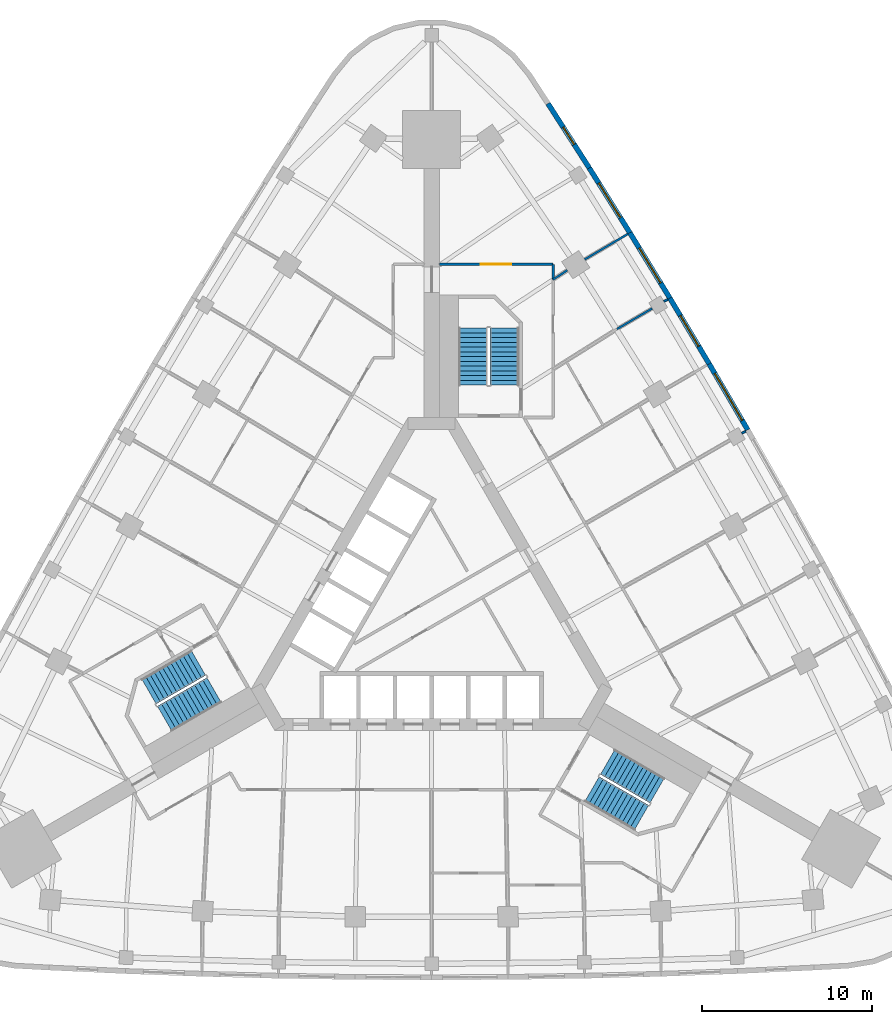
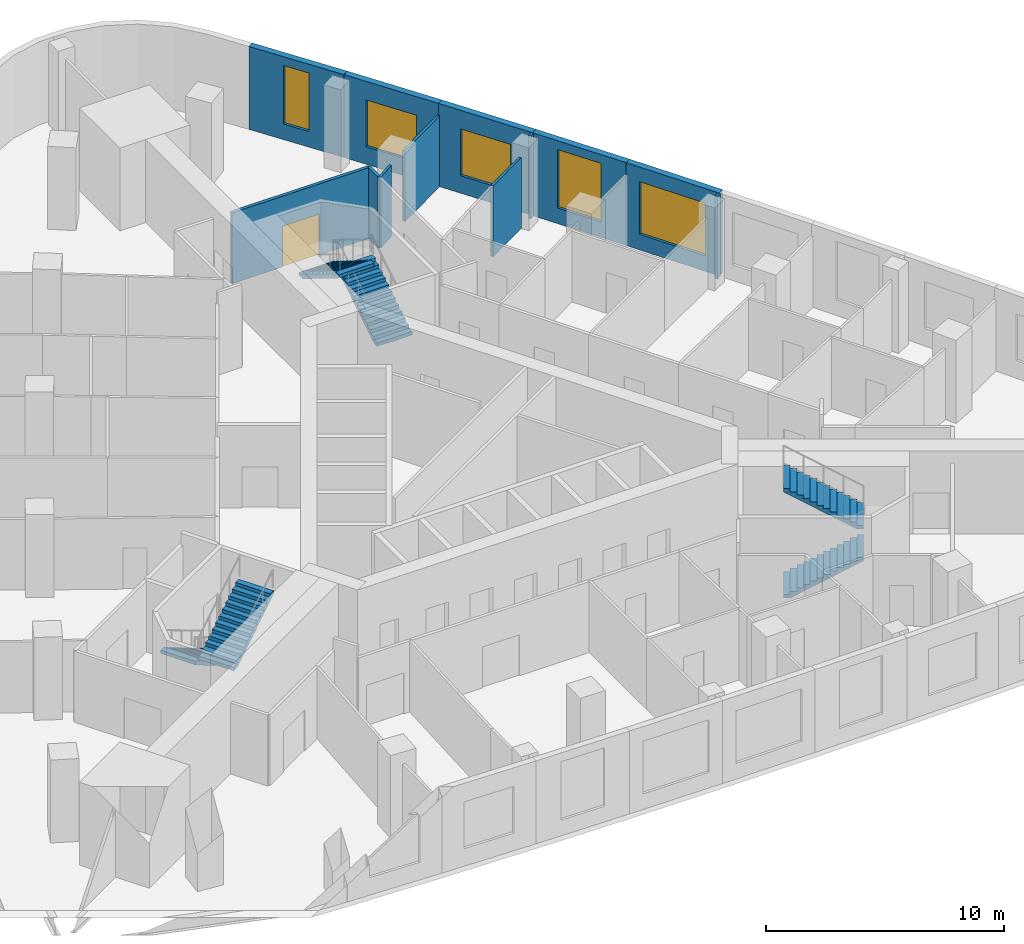
# One storey, part 10 of 11: 12 walls, 6 stair flights, 5 windows, 1 door, 6 openings, 3 elements without a shape of their own.
"""IFC4 building model written with IfcOpenShell, lengths in metres."""

from ifc_helpers import new_model, si_unit, direction, frame, frame_2d, origin, place, context, subcontext, project, spatial, polyline, rectangle, outline, extrude, material, layer, layer_set, type_object, element, fill, aggregate, save


model = new_model("IFC4")

# Units and contexts
model_context = context("Model", 3, precision=1e-05, world=origin(), true_north=direction((0.0, 1.0)))
body_context = subcontext(model_context, "Body", "Model", "MODEL_VIEW")
ifc_project = project(units=[si_unit("LENGTHUNIT", "METRE"), si_unit("AREAUNIT", "SQUARE_METRE"), si_unit("VOLUMEUNIT", "CUBIC_METRE"), si_unit("PLANEANGLEUNIT", "RADIAN"), si_unit("MASSUNIT", "GRAM", prefix="KILO")], contexts=[model_context])

# Site, building, storey
site_placement = place(None, origin())
site = spatial("IfcSite", under=ifc_project, at=site_placement, CompositionType="ELEMENT")
building_placement = place(site_placement, origin())
building = spatial("IfcBuilding", under=site, at=building_placement, Name="Noor Cloister Tower", CompositionType="ELEMENT")
storey_placement = place(building_placement, frame((0.0, 0.0, 6.0)))
storey = spatial("IfcBuildingStorey", under=building, at=storey_placement, Name="L01", CompositionType="ELEMENT", Elevation=6.0)

# Wall
ifc_material_1 = material(Name="Plasterboard on steel studs", Category="steel")
ifc_layer_1 = layer(ifc_material_1, 0.14990234375)
ifc_layer_set_1 = layer_set([ifc_layer_1], Name="Corridor wall 150")
wall_type_1 = type_object("IfcWallType", Name="Corridor wall 150", PredefinedType="PARTITIONING", material=ifc_layer_set_1)
wall_1_placement = place(storey_placement, frame((7.135986328125, 19.56298828125, 0.0), z_axis=(0.0, 0.0, 1.0), x_axis=(0.0, 1.0, 0.0)))
element("IfcWall", 1, at=wall_1_placement, inside=storey, type_object=wall_type_1, Name="Partition", PredefinedType="PARTITIONING", context=body_context, shape_type="SweptSolid", body=[
    extrude(rectangle(XDim=0.89306640625, YDim=0.14990234375, at=frame_2d((0.446533203125, 0.0))), origin(), (0.0, 0.0, 1.0), 3.637939453125),
])

# Wall, opening, door
wall_2_placement = place(storey_placement, frame((7.135986328125, 20.4560546875, 0.0), z_axis=(0.0, 0.0, 1.0), x_axis=(-1.0, 0.0, 0.0)))
wall_2 = element("IfcWall", 2, at=wall_2_placement, inside=storey, type_object=wall_type_1, Name="Partition", PredefinedType="PARTITIONING", context=body_context, shape_type="SweptSolid", body=[
    extrude(rectangle(XDim=6.68603515625, YDim=0.14990234375, at=frame_2d((3.343017578125, 0.0))), origin(), (0.0, 0.0, 1.0), 3.637939453125),
])
opening_1_placement = place(wall_2_placement, frame((2.449951171875, 0.0, 0.0)))
opening_1 = element("IfcOpeningElement", 3, at=opening_1_placement, cuts=wall_2, Name="Opening L01-031", PredefinedType="OPENING", context=body_context, shape_type="SweptSolid", body=[
    extrude(rectangle(XDim=1.800048828125, YDim=2.10009765625, at=frame_2d((0.89990234375, 1.050048828125))), frame((0.0, 0.0849609375, 0.0), z_axis=(0.0, -1.0, 0.0), x_axis=(1.0, 0.0, 0.0)), (0.0, 0.0, 1.0), 0.169921875),
])
ifc_material_2 = material(Name="Timber door leaf", Category="wood")
door_type = type_object("IfcDoorType", Name="Double leaf door 1800", OperationType="DOUBLE_DOOR_SINGLE_SWING", PredefinedType="DOOR", material=ifc_material_2)
door_placement = place(opening_1_placement, origin())
door = element("IfcDoor", 4, at=door_placement, inside=storey, type_object=door_type, Name="Door L01-031", OperationType="DOUBLE_DOOR_SINGLE_SWING", OverallHeight=2.10009765625, OverallWidth=1.800048828125, PredefinedType="DOOR", context=body_context, shape_type="SweptSolid", body=[
    extrude(rectangle(XDim=1.800048828125, YDim=2.10009765625, at=frame_2d((0.89990234375, 1.050048828125))), frame((0.0, 0.02490234375, 0.0), z_axis=(0.0, -1.0, 0.0), x_axis=(1.0, 0.0, 0.0)), (0.0, 0.0, 1.0), 0.050048828125),
])
fill(opening_1, door)

# Wall, opening, window
ifc_material_3 = material(Name="Limestone", Category="masonry")
ifc_layer_2 = layer(ifc_material_3, 0.300048828125)
ifc_layer_set_2 = layer_set([ifc_layer_2], Name="Limestone panel wall 300")
wall_type_2 = type_object("IfcWallType", Name="Limestone panel wall 300", PredefinedType="NOTDEFINED", material=ifc_layer_set_2)
wall_3_placement = place(storey_placement, frame((16.31396484375, 14.61181640625, 0.0), z_axis=(0.0, 0.0, 1.0), x_axis=(0.50445499627, -0.86343798662, 0.0)))
wall_3 = element("IfcWall", 5, at=wall_3_placement, inside=storey, type_object=wall_type_2, Name="Limestone wall L01 NE 6", PredefinedType="NOTDEFINED", context=body_context, shape_type="SweptSolid", body=[
    extrude(rectangle(XDim=4.49609375, YDim=0.300048828125, at=frame_2d((2.248046875, 0.0))), origin(), (0.0, 0.0, 1.0), 4.25),
])
opening_2_placement = place(wall_3_placement, frame((0.64794921875, 0.0, 0.800048828125)))
opening_2 = element("IfcOpeningElement", 6, at=opening_2_placement, cuts=wall_3, Name="Opening L01-W26", PredefinedType="OPENING", context=body_context, shape_type="SweptSolid", body=[
    extrude(rectangle(XDim=3.199951171875, YDim=2.699951171875, at=frame_2d((1.60009765625, 1.35009765625))), frame((0.0, 0.16015625, 0.0), z_axis=(0.0, -1.0, 0.0), x_axis=(1.0, 0.0, 0.0)), (0.0, 0.0, 1.0), 0.320068359375),
])
ifc_material_4 = material(Name="Aluminium 6063-T6 anodised", Category="aluminium")
window_type_1 = type_object("IfcWindowType", Name="Waiting room window 3200 x 2700", PartitioningType="TRIPLE_PANEL_VERTICAL", PredefinedType="WINDOW", material=ifc_material_4)
window_1_placement = place(opening_2_placement, origin())
window_1 = element("IfcWindow", 7, at=window_1_placement, inside=storey, type_object=window_type_1, Name="Window L01 26", OverallHeight=2.699951171875, OverallWidth=3.199951171875, PartitioningType="TRIPLE_PANEL_VERTICAL", PredefinedType="WINDOW", context=body_context, shape_type="SweptSolid", body=[
    extrude(rectangle(XDim=3.199951171875, YDim=2.699951171875, at=frame_2d((1.60009765625, 1.35009765625))), frame((0.0, 0.030029296875, 0.0), z_axis=(0.0, -1.0, 0.0), x_axis=(1.0, 0.0, 0.0)), (0.0, 0.0, 1.0), 0.06005859375),
])
fill(opening_2, window_1)

wall_4_placement = place(storey_placement, frame((14.005126953125, 18.472412109375, 0.0), z_axis=(0.0, 0.0, 1.0), x_axis=(0.513257465408, -0.858234684805, 0.0)))
wall_4 = element("IfcWall", 8, at=wall_4_placement, inside=storey, type_object=wall_type_2, Name="Limestone wall L01 NE 7", PredefinedType="NOTDEFINED", context=body_context, shape_type="SweptSolid", body=[
    extrude(rectangle(XDim=4.49609375, YDim=0.300048828125, at=frame_2d((2.248046875, 0.0))), origin(), (0.0, 0.0, 1.0), 4.25),
])
opening_3_placement = place(wall_4_placement, frame((1.197998046875, 0.0, 0.800048828125)))
opening_3 = element("IfcOpeningElement", 9, at=opening_3_placement, cuts=wall_4, Name="Opening L01-W27", PredefinedType="OPENING", context=body_context, shape_type="SweptSolid", body=[
    extrude(rectangle(XDim=2.10009765625, YDim=3.0, at=frame_2d((1.050048828125, 1.5))), frame((0.0, 0.16015625, 0.0), z_axis=(0.0, -1.0, 0.0), x_axis=(1.0, 0.0, 0.0)), (0.0, 0.0, 1.0), 0.320068359375),
])
ifc_material_5 = material(Name="Aluminium 6063-T6 anodised", Category="aluminium")
window_type_2 = type_object("IfcWindowType", Name="Therapy window 2100 x 3000", PartitioningType="DOUBLE_PANEL_HORIZONTAL", PredefinedType="WINDOW", material=ifc_material_5)
window_2_placement = place(opening_3_placement, origin())
window_2 = element("IfcWindow", 10, at=window_2_placement, inside=storey, type_object=window_type_2, Name="Window L01 27", OverallHeight=3.0, OverallWidth=2.10009765625, PartitioningType="DOUBLE_PANEL_HORIZONTAL", PredefinedType="WINDOW", context=body_context, shape_type="SweptSolid", body=[
    extrude(rectangle(XDim=2.10009765625, YDim=3.0, at=frame_2d((1.050048828125, 1.5))), frame((0.0, 0.030029296875, 0.0), z_axis=(0.0, -1.0, 0.0), x_axis=(1.0, 0.0, 0.0)), (0.0, 0.0, 1.0), 0.06005859375),
])
fill(opening_3, window_2)

wall_5_placement = place(storey_placement, frame((11.656494140625, 22.30908203125, 0.0), z_axis=(0.0, 0.0, 1.0), x_axis=(0.522078085402, -0.852897691838, 0.0)))
wall_5 = element("IfcWall", 11, at=wall_5_placement, inside=storey, type_object=wall_type_2, Name="Limestone wall L01 NE 8", PredefinedType="NOTDEFINED", context=body_context, shape_type="SweptSolid", body=[
    extrude(rectangle(XDim=4.495849609375, YDim=0.300048828125, at=frame_2d((2.248046875, 0.0))), origin(), (0.0, 0.0, 1.0), 4.25),
])
opening_4_placement = place(wall_5_placement, frame((1.048095703125, 0.0, 0.89990234375)))
opening_4 = element("IfcOpeningElement", 12, at=opening_4_placement, cuts=wall_5, Name="Opening L01-W28", PredefinedType="OPENING", context=body_context, shape_type="SweptSolid", body=[
    extrude(rectangle(XDim=2.39990234375, YDim=2.39990234375, at=frame_2d((1.199951171875, 1.199951171875))), frame((0.0, 0.16015625, 0.0), z_axis=(0.0, -1.0, 0.0), x_axis=(1.0, 0.0, 0.0)), (0.0, 0.0, 1.0), 0.320068359375),
])
ifc_material_6 = material(Name="Aluminium 6063-T6 anodised", Category="aluminium")
window_type_3 = type_object("IfcWindowType", Name="Clinic window 2400 x 2400", PartitioningType="DOUBLE_PANEL_VERTICAL", PredefinedType="WINDOW", material=ifc_material_6)
window_3_placement = place(opening_4_placement, origin())
window_3 = element("IfcWindow", 13, at=window_3_placement, inside=storey, type_object=window_type_3, Name="Window L01 28", OverallHeight=2.39990234375, OverallWidth=2.39990234375, PartitioningType="DOUBLE_PANEL_VERTICAL", PredefinedType="WINDOW", context=body_context, shape_type="SweptSolid", body=[
    extrude(rectangle(XDim=2.39990234375, YDim=2.39990234375, at=frame_2d((1.199951171875, 1.199951171875))), frame((0.0, 0.030029296875, 0.0), z_axis=(0.0, -1.0, 0.0), x_axis=(1.0, 0.0, 0.0)), (0.0, 0.0, 1.0), 0.06005859375),
])
fill(opening_4, window_3)

wall_6_placement = place(storey_placement, frame((9.268798828125, 26.12158203125, 0.0), z_axis=(0.0, 0.0, 1.0), x_axis=(0.530804082031, -0.847494558389, 0.0)))
wall_6 = element("IfcWall", 14, at=wall_6_placement, inside=storey, type_object=wall_type_2, Name="Limestone wall L01 NE 9", PredefinedType="NOTDEFINED", context=body_context, shape_type="SweptSolid", body=[
    extrude(rectangle(XDim=4.495849609375, YDim=0.300048828125, at=frame_2d((2.248046875, 0.0))), origin(), (0.0, 0.0, 1.0), 4.25),
])
opening_5_placement = place(wall_6_placement, frame((1.048095703125, 0.0, 0.89990234375)))
opening_5 = element("IfcOpeningElement", 15, at=opening_5_placement, cuts=wall_6, Name="Opening L01-W29", PredefinedType="OPENING", context=body_context, shape_type="SweptSolid", body=[
    extrude(rectangle(XDim=2.39990234375, YDim=2.39990234375, at=frame_2d((1.199951171875, 1.199951171875))), frame((0.0, 0.16015625, 0.0), z_axis=(0.0, -1.0, 0.0), x_axis=(1.0, 0.0, 0.0)), (0.0, 0.0, 1.0), 0.320068359375),
])
window_4_placement = place(opening_5_placement, origin())
window_4 = element("IfcWindow", 16, at=window_4_placement, inside=storey, type_object=window_type_3, Name="Window L01 29", OverallHeight=2.39990234375, OverallWidth=2.39990234375, PartitioningType="DOUBLE_PANEL_VERTICAL", PredefinedType="WINDOW", context=body_context, shape_type="SweptSolid", body=[
    extrude(rectangle(XDim=2.39990234375, YDim=2.39990234375, at=frame_2d((1.199951171875, 1.199951171875))), frame((0.0, 0.030029296875, 0.0), z_axis=(0.0, -1.0, 0.0), x_axis=(1.0, 0.0, 0.0)), (0.0, 0.0, 1.0), 0.06005859375),
])
fill(opening_5, window_4)

wall_7_placement = place(storey_placement, frame((6.842041015625, 29.9091796875, 0.0), z_axis=(0.0, 0.0, 1.0), x_axis=(0.539483537275, -0.841996147859, 0.0)))
wall_7 = element("IfcWall", 17, at=wall_7_placement, inside=storey, type_object=wall_type_2, Name="Limestone wall L01 NE 10", PredefinedType="NOTDEFINED", context=body_context, shape_type="SweptSolid", body=[
    extrude(rectangle(XDim=4.49609375, YDim=0.300048828125, at=frame_2d((2.248046875, 0.0))), origin(), (0.0, 0.0, 1.0), 4.25),
])
opening_6_placement = place(wall_7_placement, frame((1.64794921875, 0.0, 0.800048828125)))
opening_6 = element("IfcOpeningElement", 18, at=opening_6_placement, cuts=wall_7, Name="Opening L01-W30", PredefinedType="OPENING", context=body_context, shape_type="SweptSolid", body=[
    extrude(rectangle(XDim=1.199951171875, YDim=3.0, at=frame_2d((0.60009765625, 1.5))), frame((0.0, 0.16015625, 0.0), z_axis=(0.0, -1.0, 0.0), x_axis=(1.0, 0.0, 0.0)), (0.0, 0.0, 1.0), 0.320068359375),
])
ifc_material_7 = material(Name="Aluminium 6063-T6 anodised", Category="aluminium")
window_type_4 = type_object("IfcWindowType", Name="Lancet window 1200 x 3000", PartitioningType="SINGLE_PANEL", PredefinedType="WINDOW", material=ifc_material_7)
window_5_placement = place(opening_6_placement, origin())
window_5 = element("IfcWindow", 19, at=window_5_placement, inside=storey, type_object=window_type_4, Name="Window L01 30", OverallHeight=3.0, OverallWidth=1.199951171875, PartitioningType="SINGLE_PANEL", PredefinedType="WINDOW", context=body_context, shape_type="SweptSolid", body=[
    extrude(rectangle(XDim=1.199951171875, YDim=3.0, at=frame_2d((0.60009765625, 1.5))), frame((0.0, 0.030029296875, 0.0), z_axis=(0.0, -1.0, 0.0), x_axis=(1.0, 0.0, 0.0)), (0.0, 0.0, 1.0), 0.06005859375),
])
fill(opening_6, window_5)

# Walls
ifc_material_8 = material(Name="Plasterboard on steel studs", Category="steel")
ifc_layer_3 = layer(ifc_material_8, 0.1201171875)
ifc_layer_set_3 = layer_set([ifc_layer_3], Name="Partition wall 120")
wall_type_3 = type_object("IfcWallType", Name="Partition wall 120", PredefinedType="PARTITIONING", material=ifc_layer_set_3)
wall_8_placement = place(storey_placement, frame((18.4541015625, 10.653076171875, 0.0), z_axis=(0.0, 0.0, 1.0), x_axis=(-0.866558586415, -0.499075361355, 0.0)))
element("IfcWall", 20, at=wall_8_placement, inside=storey, type_object=wall_type_3, Name="Partition", PredefinedType="PARTITIONING", context=body_context, shape_type="SweptSolid", body=[
    extrude(rectangle(XDim=0.25048828125, YDim=0.1201171875, at=frame_2d((0.125244140625, 0.0))), origin(), (0.0, 0.0, 1.0), 4.25),
])
wall_9_placement = place(storey_placement, frame((12.968017578125, 17.868896484375, 0.0), z_axis=(0.0, 0.0, 1.0), x_axis=(-0.863161652457, -0.504927679701, 0.0)))
element("IfcWall", 21, at=wall_9_placement, inside=storey, type_object=wall_type_3, Name="Partition", PredefinedType="PARTITIONING", context=body_context, shape_type="SweptSolid", body=[
    extrude(rectangle(XDim=2.398193359375, YDim=0.1201171875, at=frame_2d((1.19921875, 0.0))), origin(), (0.0, 0.0, 1.0), 3.637939453125),
])
wall_10_placement = place(storey_placement, frame((13.8740234375, 18.39892578125, 0.0), z_axis=(0.0, 0.0, 1.0), x_axis=(-0.863885093979, -0.503688936151, 0.0)))
element("IfcWall", 22, at=wall_10_placement, inside=storey, type_object=wall_type_3, Name="Partition", PredefinedType="PARTITIONING", context=body_context, shape_type="SweptSolid", body=[
    extrude(rectangle(XDim=0.25, YDim=0.1201171875, at=frame_2d((0.125, 0.0))), origin(), (0.0, 0.0, 1.0), 4.25),
])
wall_11_placement = place(storey_placement, frame((7.972900390625, 20.10888671875, 0.0), z_axis=(0.0, 0.0, 1.0), x_axis=(-0.836986858992, -0.547222987341, 0.0)))
element("IfcWall", 23, at=wall_11_placement, inside=storey, type_object=wall_type_3, Name="Partition", PredefinedType="PARTITIONING", context=body_context, shape_type="SweptSolid", body=[
    extrude(rectangle(XDim=0.99755859375, YDim=0.1201171875, at=frame_2d((0.498779296875, 0.0))), origin(), (0.0, 0.0, 1.0), 3.637939453125),
])
wall_12_placement = place(storey_placement, frame((11.52392578125, 22.237060546875, 0.0), z_axis=(0.0, 0.0, 1.0), x_axis=(-0.861228913487, -0.508217235613, 0.0)))
element("IfcWall", 24, at=wall_12_placement, inside=storey, type_object=wall_type_3, Name="Partition", PredefinedType="PARTITIONING", context=body_context, shape_type="SweptSolid", body=[
    extrude(rectangle(XDim=2.93994140625, YDim=0.1201171875, at=frame_2d((1.469970703125, 0.0))), origin(), (0.0, 0.0, 1.0), 3.633056640625),
])

# Stair, stair flights
ifc_material_9 = material(Name="Concrete C40/50", Category="concrete")
stair_type = type_object("IfcStairType", Name="Exit stair 26 risers", PredefinedType="HALF_TURN_STAIR", material=ifc_material_9)
stair_1_placement = place(storey_placement, origin())
stair_1 = element("IfcStair", 25, at=stair_1_placement, inside=storey, type_object=stair_type, Name="Exit stair ST1 L01", PredefinedType="HALF_TURN_STAIR")
ifc_material_10 = material(Name="Concrete C40/50", Category="concrete")
stair_flight_type = type_object("IfcStairFlightType", Name="Exit stair flight", PredefinedType="STRAIGHT", material=ifc_material_10)
stair_flight_1_placement = place(storey_placement, frame((4.28564453125, 13.3564453125, 0.0), z_axis=(0.0, 0.0, 1.0), x_axis=(0.0, 1.0, 0.0)))
stair_flight_1 = element("IfcStairFlight", 26, at=stair_flight_1_placement, type_object=stair_flight_type, Name="ST1 flight 1", NumberOfRisers=13, NumberOfTreads=12, PredefinedType="STRAIGHT", RiserHeight=0.173076923, TreadLength=0.28, context=body_context, shape_type="SweptSolid", body=[
    extrude(outline(polyline([(0.0, 0.0), (0.0, 0.173095703125), (0.280029296875, 0.173095703125), (0.280029296875, 0.34619140625), (0.56005859375, 0.34619140625), (0.56005859375, 0.519287109375), (0.840087890625, 0.519287109375), (0.840087890625, 0.6923828125), (1.1201171875, 0.6923828125), (1.1201171875, 0.865478515625), (1.39990234375, 0.865478515625), (1.39990234375, 1.03857421875), (1.679931640625, 1.03857421875), (1.679931640625, 1.21142578125), (1.9599609375, 1.21142578125), (1.9599609375, 1.384521484375), (2.239990234375, 1.384521484375), (2.239990234375, 1.5576171875), (2.52001953125, 1.5576171875), (2.52001953125, 1.730712890625), (2.800048828125, 1.730712890625), (2.800048828125, 1.90380859375), (3.080078125, 1.90380859375), (3.080078125, 2.076904296875), (3.360107421875, 2.076904296875), (3.360107421875, 2.25), (3.360107421875, 1.900634765625), (0.28515625, 0.0), (0.0, 0.0)])), frame((0.0, 0.85009765625, 0.0), z_axis=(0.0, -1.0, 0.0), x_axis=(1.0, 0.0, 0.0)), (0.0, 0.0, 1.0), 1.699951171875),
])
stair_flight_2_placement = place(storey_placement, frame((2.435546875, 16.71630859375, 2.25), z_axis=(0.0, 0.0, 1.0), x_axis=(0.0, -1.0, 0.0)))
stair_flight_2 = element("IfcStairFlight", 27, at=stair_flight_2_placement, type_object=stair_flight_type, Name="ST1 flight 2", NumberOfRisers=13, NumberOfTreads=12, PredefinedType="STRAIGHT", RiserHeight=0.173076923, TreadLength=0.28, context=body_context, shape_type="SweptSolid", body=[
    extrude(outline(polyline([(0.0, 0.0), (0.0, 0.173095703125), (0.280029296875, 0.173095703125), (0.280029296875, 0.34619140625), (0.56005859375, 0.34619140625), (0.56005859375, 0.519287109375), (0.840087890625, 0.519287109375), (0.840087890625, 0.6923828125), (1.1201171875, 0.6923828125), (1.1201171875, 0.865478515625), (1.39990234375, 0.865478515625), (1.39990234375, 1.03857421875), (1.679931640625, 1.03857421875), (1.679931640625, 1.21142578125), (1.9599609375, 1.21142578125), (1.9599609375, 1.384521484375), (2.239990234375, 1.384521484375), (2.239990234375, 1.5576171875), (2.52001953125, 1.5576171875), (2.52001953125, 1.730712890625), (2.800048828125, 1.730712890625), (2.800048828125, 1.90380859375), (3.080078125, 1.90380859375), (3.080078125, 2.076904296875), (3.360107421875, 2.076904296875), (3.360107421875, 2.25), (3.360107421875, 1.900634765625), (0.28515625, 0.0), (0.0, 0.0)])), frame((0.0, 0.85009765625, 0.0), z_axis=(0.0, -1.0, 0.0), x_axis=(1.0, 0.0, 0.0)), (0.0, 0.0, 1.0), 1.699951171875),
])
aggregate(stair_1, [stair_flight_1, stair_flight_2])

stair_2_placement = place(storey_placement, origin())
stair_2 = element("IfcStair", 28, at=stair_2_placement, inside=storey, type_object=stair_type, Name="Exit stair ST2 L01", PredefinedType="HALF_TURN_STAIR")
stair_flight_3_placement = place(storey_placement, frame((-13.709716796875, -2.966796875, 0.0), z_axis=(0.0, 0.0, 1.0), x_axis=(-0.866025403784, -0.5, 0.0)))
stair_flight_3 = element("IfcStairFlight", 29, at=stair_flight_3_placement, type_object=stair_flight_type, Name="ST2 flight 1", NumberOfRisers=13, NumberOfTreads=12, PredefinedType="STRAIGHT", RiserHeight=0.173076923, TreadLength=0.28, context=body_context, shape_type="SweptSolid", body=[
    extrude(outline(polyline([(0.0, 0.0), (0.0, 0.173095703125), (0.280029296875, 0.173095703125), (0.280029296875, 0.34619140625), (0.56005859375, 0.34619140625), (0.56005859375, 0.519287109375), (0.840087890625, 0.519287109375), (0.840087890625, 0.6923828125), (1.1201171875, 0.6923828125), (1.1201171875, 0.865478515625), (1.39990234375, 0.865478515625), (1.39990234375, 1.03857421875), (1.679931640625, 1.03857421875), (1.679931640625, 1.21142578125), (1.9599609375, 1.21142578125), (1.9599609375, 1.384521484375), (2.239990234375, 1.384521484375), (2.239990234375, 1.5576171875), (2.52001953125, 1.5576171875), (2.52001953125, 1.730712890625), (2.800048828125, 1.730712890625), (2.800048828125, 1.90380859375), (3.080078125, 1.90380859375), (3.080078125, 2.076904296875), (3.360107421875, 2.076904296875), (3.360107421875, 2.25), (3.360107421875, 1.900634765625), (0.28515625, 0.0), (0.0, 0.0)])), frame((0.0, 0.85009765625, 0.0), z_axis=(0.0, -1.0, 0.0), x_axis=(1.0, 0.0, 0.0)), (0.0, 0.0, 1.0), 1.699951171875),
])
stair_flight_4_placement = place(storey_placement, frame((-15.694580078125, -6.248779296875, 2.25), z_axis=(0.0, 0.0, 1.0), x_axis=(0.866025403784, 0.5, 0.0)))
stair_flight_4 = element("IfcStairFlight", 30, at=stair_flight_4_placement, type_object=stair_flight_type, Name="ST2 flight 2", NumberOfRisers=13, NumberOfTreads=12, PredefinedType="STRAIGHT", RiserHeight=0.173076923, TreadLength=0.28, context=body_context, shape_type="SweptSolid", body=[
    extrude(outline(polyline([(0.0, 0.0), (0.0, 0.173095703125), (0.280029296875, 0.173095703125), (0.280029296875, 0.34619140625), (0.56005859375, 0.34619140625), (0.56005859375, 0.519287109375), (0.840087890625, 0.519287109375), (0.840087890625, 0.6923828125), (1.1201171875, 0.6923828125), (1.1201171875, 0.865478515625), (1.39990234375, 0.865478515625), (1.39990234375, 1.03857421875), (1.679931640625, 1.03857421875), (1.679931640625, 1.21142578125), (1.9599609375, 1.21142578125), (1.9599609375, 1.384521484375), (2.239990234375, 1.384521484375), (2.239990234375, 1.5576171875), (2.52001953125, 1.5576171875), (2.52001953125, 1.730712890625), (2.800048828125, 1.730712890625), (2.800048828125, 1.90380859375), (3.080078125, 1.90380859375), (3.080078125, 2.076904296875), (3.360107421875, 2.076904296875), (3.360107421875, 2.25), (3.360107421875, 1.900634765625), (0.28515625, 0.0), (0.0, 0.0)])), frame((0.0, 0.85009765625, 0.0), z_axis=(0.0, -1.0, 0.0), x_axis=(1.0, 0.0, 0.0)), (0.0, 0.0, 1.0), 1.699951171875),
])
aggregate(stair_2, [stair_flight_3, stair_flight_4])

stair_3_placement = place(storey_placement, origin())
stair_3 = element("IfcStair", 31, at=stair_3_placement, inside=storey, type_object=stair_type, Name="Exit stair ST3 L01", PredefinedType="HALF_TURN_STAIR")
stair_flight_5_placement = place(storey_placement, frame((9.424072265625, -10.3896484375, 0.0), z_axis=(0.0, 0.0, 1.0), x_axis=(0.866025403784, -0.5, 0.0)))
stair_flight_5 = element("IfcStairFlight", 32, at=stair_flight_5_placement, type_object=stair_flight_type, Name="ST3 flight 1", NumberOfRisers=13, NumberOfTreads=12, PredefinedType="STRAIGHT", RiserHeight=0.173076923, TreadLength=0.28, context=body_context, shape_type="SweptSolid", body=[
    extrude(outline(polyline([(0.0, 0.0), (0.0, 0.173095703125), (0.280029296875, 0.173095703125), (0.280029296875, 0.34619140625), (0.56005859375, 0.34619140625), (0.56005859375, 0.519287109375), (0.840087890625, 0.519287109375), (0.840087890625, 0.6923828125), (1.1201171875, 0.6923828125), (1.1201171875, 0.865478515625), (1.39990234375, 0.865478515625), (1.39990234375, 1.03857421875), (1.679931640625, 1.03857421875), (1.679931640625, 1.21142578125), (1.9599609375, 1.21142578125), (1.9599609375, 1.384521484375), (2.239990234375, 1.384521484375), (2.239990234375, 1.5576171875), (2.52001953125, 1.5576171875), (2.52001953125, 1.730712890625), (2.800048828125, 1.730712890625), (2.800048828125, 1.90380859375), (3.080078125, 1.90380859375), (3.080078125, 2.076904296875), (3.360107421875, 2.076904296875), (3.360107421875, 2.25), (3.360107421875, 1.900634765625), (0.28515625, 0.0), (0.0, 0.0)])), frame((0.0, 0.85009765625, 0.0), z_axis=(0.0, -1.0, 0.0), x_axis=(1.0, 0.0, 0.0)), (0.0, 0.0, 1.0), 1.699951171875),
])
stair_flight_6_placement = place(storey_placement, frame((13.259033203125, -10.467529296875, 2.25), z_axis=(0.0, 0.0, 1.0), x_axis=(-0.866025403784, 0.5, 0.0)))
stair_flight_6 = element("IfcStairFlight", 33, at=stair_flight_6_placement, type_object=stair_flight_type, Name="ST3 flight 2", NumberOfRisers=13, NumberOfTreads=12, PredefinedType="STRAIGHT", RiserHeight=0.173076923, TreadLength=0.28, context=body_context, shape_type="SweptSolid", body=[
    extrude(outline(polyline([(0.0, 0.0), (0.0, 0.173095703125), (0.280029296875, 0.173095703125), (0.280029296875, 0.34619140625), (0.56005859375, 0.34619140625), (0.56005859375, 0.519287109375), (0.840087890625, 0.519287109375), (0.840087890625, 0.6923828125), (1.1201171875, 0.6923828125), (1.1201171875, 0.865478515625), (1.39990234375, 0.865478515625), (1.39990234375, 1.03857421875), (1.679931640625, 1.03857421875), (1.679931640625, 1.21142578125), (1.9599609375, 1.21142578125), (1.9599609375, 1.384521484375), (2.239990234375, 1.384521484375), (2.239990234375, 1.5576171875), (2.52001953125, 1.5576171875), (2.52001953125, 1.730712890625), (2.800048828125, 1.730712890625), (2.800048828125, 1.90380859375), (3.080078125, 1.90380859375), (3.080078125, 2.076904296875), (3.360107421875, 2.076904296875), (3.360107421875, 2.25), (3.360107421875, 1.900634765625), (0.28515625, 0.0), (0.0, 0.0)])), frame((0.0, 0.85009765625, 0.0), z_axis=(0.0, -1.0, 0.0), x_axis=(1.0, 0.0, 0.0)), (0.0, 0.0, 1.0), 1.699951171875),
])
aggregate(stair_3, [stair_flight_5, stair_flight_6])

save(model, "model.ifc")
